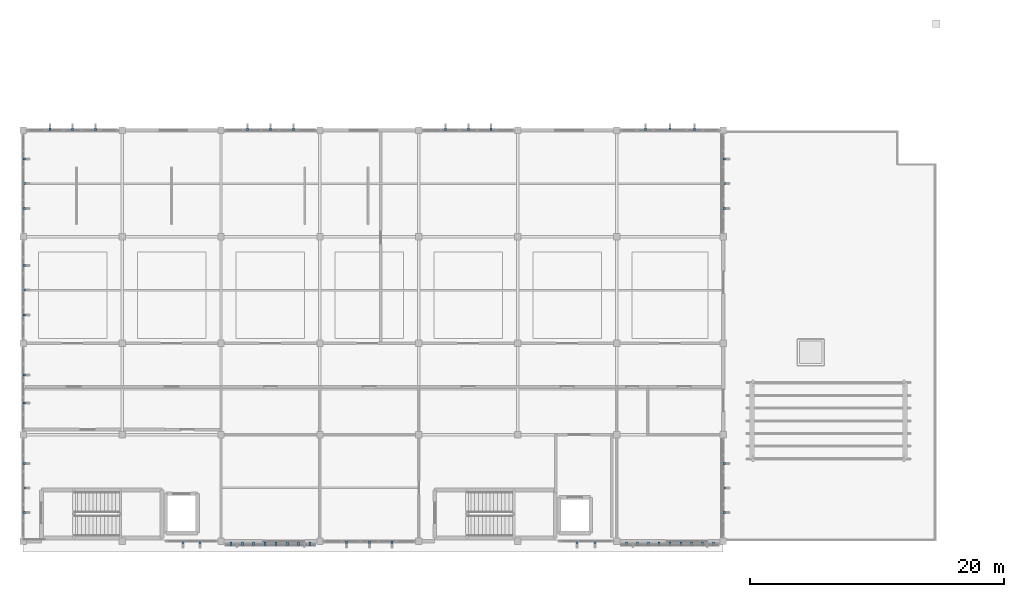
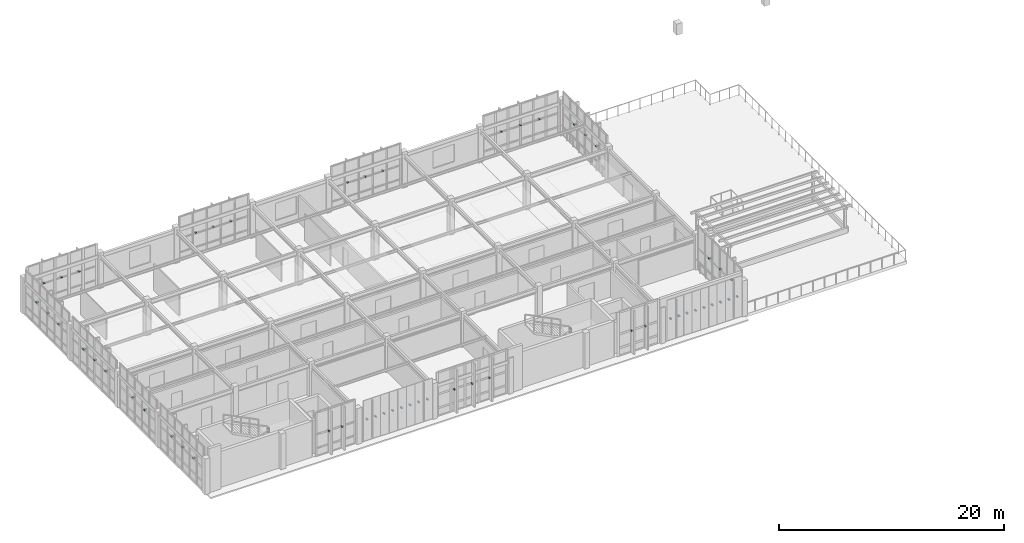
# One storey, part 15 of 20: 53 discrete accessories.
"""IFC4 building model written with IfcOpenShell, lengths in metres."""

import ifcopenshell
import ifcopenshell.guid

model = None  # the IFC model being written
_history = None  # IfcOwnerHistory: only IFC2X3 demands one
_inside = {}  # id of a spatial element -> (the spatial element, [elements in it])
_under = {}  # id of a project, library or spatial element -> (it, [spatial elements below it])
_declared = {}  # id of a project -> (the project, [libraries it declares])
_typed = {}  # id of a type object -> (the type object, [elements of that type])
_made_of = {}  # id of a material, layer set ... -> (it, [elements and type objects made of it])


def new_model(schema):
    """Start an empty IFC model of exactly this schema.

    Asked for "IFC4X3", IfcOpenShell would pick the latest addendum, in which some entities
    have other attributes; the version numbers below select the first issue.
    IFC2X3 requires an IfcOwnerHistory on every rooted entity: one is made here for all.
    """
    global model, _history
    if schema == "IFC4X3":
        model = ifcopenshell.file(schema_version=(4, 3, 0, 0))
    else:
        model = ifcopenshell.file(schema=schema)
    _inside.clear()
    _under.clear()
    _declared.clear()
    _typed.clear()
    _made_of.clear()
    _history = None
    if model.schema == "IFC2X3":
        org = make("IfcOrganization", Name="unknown")
        user = make(
            "IfcPersonAndOrganization",
            ThePerson=make("IfcPerson", FamilyName="unknown"),
            TheOrganization=org,
        )
        app = make(
            "IfcApplication",
            ApplicationDeveloper=org,
            Version="unknown",
            ApplicationFullName="unknown",
            ApplicationIdentifier="unknown",
        )
        _history = make(
            "IfcOwnerHistory",
            OwningUser=user,
            OwningApplication=app,
            ChangeAction="ADDED",
            CreationDate=0,
        )
    return model


def make(cls, **values):
    """One entity of the class cls with the attributes given. An attribute that is None is left unset."""
    return model.create_entity(
        cls, **{name: value for name, value in values.items() if value is not None}
    )


def rooted(cls, **values):
    """An entity with a GlobalId (a new one), such as an element, a storey or a relation."""
    return make(cls, GlobalId=ifcopenshell.guid.new(), OwnerHistory=_history, **values)


def si_unit(unit_type, name, prefix=None):
    """IfcSIUnit, for example si_unit("LENGTHUNIT", "METRE", prefix="MILLI")."""
    return make("IfcSIUnit", UnitType=unit_type, Prefix=prefix, Name=name)


def assignment(units):
    """IfcUnitAssignment: the units of a project."""
    return None if units is None else make("IfcUnitAssignment", Units=units)


def point(xyz):
    """IfcCartesianPoint."""
    return None if xyz is None else make("IfcCartesianPoint", Coordinates=xyz)


def direction(xyz):
    """IfcDirection."""
    return None if xyz is None else make("IfcDirection", DirectionRatios=xyz)


def frame(location, z_axis=None, x_axis=None):
    """IfcAxis2Placement3D, a coordinate frame: its origin and axes. An axis left out is left unset."""
    return make(
        "IfcAxis2Placement3D",
        Location=point(location),
        Axis=direction(z_axis),
        RefDirection=direction(x_axis),
    )


def frame_2d(location, x_axis=None):
    """IfcAxis2Placement2D, a coordinate frame in the plane: its origin and x axis."""
    return make(
        "IfcAxis2Placement2D", Location=point(location), RefDirection=direction(x_axis)
    )


def origin():
    """The frame at (0, 0, 0) with its axes left unset."""
    return frame((0.0, 0.0, 0.0))


def origin_2d():
    """The frame at (0, 0) in the plane with its x axis left unset."""
    return frame_2d((0.0, 0.0))


def place(relative_to, where):
    """IfcLocalPlacement: puts the frame where relative to a parent placement (None: the world)."""
    return make(
        "IfcLocalPlacement", PlacementRelTo=relative_to, RelativePlacement=where
    )


def context(
    kind, dimensions, precision=None, world=None, true_north=None, identifier=None
):
    """IfcGeometricRepresentationContext, for example the 3D "Model" context."""
    return make(
        "IfcGeometricRepresentationContext",
        ContextIdentifier=identifier,
        ContextType=kind,
        CoordinateSpaceDimension=dimensions,
        Precision=precision,
        WorldCoordinateSystem=world,
        TrueNorth=true_north,
    )


def subcontext(parent, identifier, kind, view, scale=None):
    """IfcGeometricRepresentationSubContext, for example "Body" below "Model"."""
    return make(
        "IfcGeometricRepresentationSubContext",
        ContextIdentifier=identifier,
        ContextType=kind,
        ParentContext=parent,
        TargetScale=scale,
        TargetView=view,
    )


def project(units=None, contexts=None):
    """IfcProject with its units and contexts."""
    return rooted(
        "IfcProject",
        Name="project",
        RepresentationContexts=contexts,
        UnitsInContext=assignment(units),
    )


def spatial(cls, under=None, at=None, **own):
    """A site, building, storey or space (cls), placed at a placement, below another one or the project."""
    s = rooted(cls, ObjectPlacement=at, **own)
    if under is not None:
        _under.setdefault(under.id(), (under, []))[1].append(s)
    return s


def profile(cls, at=None, kind="AREA", **sizes):
    """A parametric profile (cls). Its sizes go by their IFC names, for example OverallWidth=200.0."""
    return make(cls, ProfileType=kind, Position=at, **sizes)


def rectangle(**sizes):
    """IfcRectangleProfileDef."""
    return profile("IfcRectangleProfileDef", **sizes)


def extrude(swept, where, along, depth):
    """IfcExtrudedAreaSolid: the profile swept, set in the frame where, extruded along a direction by depth."""
    return make(
        "IfcExtrudedAreaSolid",
        SweptArea=swept,
        Position=where,
        ExtrudedDirection=direction(along),
        Depth=depth,
    )


def shape(context_of_items, identifier, shape_type, items):
    """IfcShapeRepresentation: the items that make up one representation, for example the "Body"."""
    return make(
        "IfcShapeRepresentation",
        ContextOfItems=context_of_items,
        RepresentationIdentifier=identifier,
        RepresentationType=shape_type,
        Items=items,
    )


def material(Name=None, Category=None):
    """IfcMaterial."""
    return make("IfcMaterial", Name=Name, Category=Category)


def made_of(thing, what):
    """Note that an element or type object is made of a material, layer set ...; save() writes the relation."""
    if what is not None:
        _made_of.setdefault(what.id(), (what, []))[1].append(thing)
    return thing


def type_object(cls, material=None, **own):
    """A type object (cls), such as IfcWallType, which elements share."""
    return made_of(rooted(cls, **own), material)


def element(
    cls,
    number,
    at=None,
    inside=None,
    cuts=None,
    type_object=None,
    material=None,
    context=None,
    identifier="Body",
    shape_type=None,
    held_by="IfcProductDefinitionShape",
    body=None,
    shapes=None,
    **own,
):
    """One element of the class cls, such as IfcWall. Its Tag is "e" and its number.

    at: its placement. inside: the storey or other place that contains it. cuts: it is an
    opening in that element (IfcRelVoidsElement). A single representation is given by context,
    identifier, shape_type and body (its items); several are given by shapes. held_by: the class
    of the entity that holds the representations. save() writes the other relations.
    """
    e = rooted(cls, Tag="e%d" % number, ObjectPlacement=at, **own)
    if body is not None:
        shapes = [shape(context, identifier, shape_type, body)]
    if shapes is not None:
        e.Representation = make(held_by, Representations=shapes)
    if inside is not None:
        _inside.setdefault(inside.id(), (inside, []))[1].append(e)
    if cuts is not None:
        rooted(
            "IfcRelVoidsElement", RelatingBuildingElement=cuts, RelatedOpeningElement=e
        )
    if type_object is not None:
        _typed.setdefault(type_object.id(), (type_object, []))[1].append(e)
    return made_of(e, material)


def aggregate(whole, parts):
    """IfcRelAggregates: a whole, such as a stair, and the parts it consists of."""
    return rooted("IfcRelAggregates", RelatingObject=whole, RelatedObjects=parts)


def save(model, path):
    """Write the relations noted so far, then the file.

    IfcRelAggregates (storeys below a building ...), IfcRelContainedInSpatialStructure (elements
    in a storey), IfcRelDefinesByType, IfcRelAssociatesMaterial and IfcRelDeclares: one each for
    every whole, place, type object, material and project.
    """
    for whole, parts in _under.values():
        aggregate(whole, parts)
    for where, things in _inside.values():
        rooted(
            "IfcRelContainedInSpatialStructure",
            RelatedElements=things,
            RelatingStructure=where,
        )
    for kind, things in _typed.values():
        rooted("IfcRelDefinesByType", RelatedObjects=things, RelatingType=kind)
    for what, things in _made_of.values():
        rooted("IfcRelAssociatesMaterial", RelatedObjects=things, RelatingMaterial=what)
    for by, libraries in _declared.values():
        rooted("IfcRelDeclares", RelatingContext=by, RelatedDefinitions=libraries)
    model.write(path)


model = new_model("IFC4")

# Units and contexts
model_context = context("Model", 3, precision=1e-05, world=origin(), true_north=direction((0.0, 1.0)))
body_context = subcontext(model_context, "Body", "Model", "MODEL_VIEW")
ifc_project = project(units=[si_unit("LENGTHUNIT", "METRE"), si_unit("AREAUNIT", "SQUARE_METRE"), si_unit("VOLUMEUNIT", "CUBIC_METRE"), si_unit("PLANEANGLEUNIT", "RADIAN"), si_unit("MASSUNIT", "GRAM", prefix="KILO")], contexts=[model_context])

# Site, building, storey
site_placement = place(None, origin())
site = spatial("IfcSite", under=ifc_project, at=site_placement, CompositionType="ELEMENT")
building_placement = place(site_placement, origin())
building = spatial("IfcBuilding", under=site, at=building_placement, Name="Tizgana Railside Sports Hall", CompositionType="ELEMENT")
storey_placement = place(building_placement, frame((0.0, 0.0, 19.800048828125)))
storey = spatial("IfcBuildingStorey", under=building, at=storey_placement, Name="L04", CompositionType="ELEMENT", Elevation=19.800048828125)

# Discrete accessories
ifc_material = material(Name="Steel S355J2", Category="steel")
discrete_accessory_type = type_object("IfcDiscreteAccessoryType", Name="Stainless Facade Support Bracket", PredefinedType="BRACKET", material=ifc_material)
for number, where, z_axis, x_axis, name in (
    (1, (21.756591796875, -0.080078125, 2.33984375), (0.0, 0.0, 1.0), (-1.0, 0.0, 0.0), "L04 Fin Bracket"),
    (2, (20.418212890625, -0.080078125, 2.33984375), (0.0, 0.0, 1.0), (-1.0, 0.0, 0.0), "L04 Fin Bracket"),
):
    element("IfcDiscreteAccessory", number, at=place(storey_placement, frame(where, z_axis=z_axis, x_axis=x_axis)), inside=storey, type_object=discrete_accessory_type, Name=name, PredefinedType="BRACKET", context=body_context, shape_type="SweptSolid", body=[
        extrude(rectangle(XDim=0.159912109375, YDim=0.219970703125, at=origin_2d()), origin(), (0.0, 0.0, 1.0), 0.1201171875),
    ])
for number, where, z_axis, x_axis, name in (
    (3, (30.40625, -0.199951171875, 2.330078125), (0.0, 0.0, 1.0), (-1.0, 0.0, 0.0), "L04 Screen Bracket"),
    (4, (29.518798828125, -0.199951171875, 2.330078125), (0.0, 0.0, 1.0), (-1.0, 0.0, 0.0), "L04 Screen Bracket"),
    (5, (28.631103515625, -0.199951171875, 2.330078125), (0.0, 0.0, 1.0), (-1.0, 0.0, 0.0), "L04 Screen Bracket"),
    (6, (27.74365234375, -0.199951171875, 2.330078125), (0.0, 0.0, 1.0), (-1.0, 0.0, 0.0), "L04 Screen Bracket"),
    (7, (26.856201171875, -0.199951171875, 2.330078125), (0.0, 0.0, 1.0), (-1.0, 0.0, 0.0), "L04 Screen Bracket"),
    (8, (25.96875, -0.199951171875, 2.330078125), (0.0, 0.0, 1.0), (-1.0, 0.0, 0.0), "L04 Screen Bracket"),
    (9, (25.081298828125, -0.199951171875, 2.330078125), (0.0, 0.0, 1.0), (-1.0, 0.0, 0.0), "L04 Screen Bracket"),
    (10, (24.19384765625, -0.199951171875, 2.330078125), (0.0, 0.0, 1.0), (-1.0, 0.0, 0.0), "L04 Screen Bracket"),
):
    element("IfcDiscreteAccessory", number, at=place(storey_placement, frame(where, z_axis=z_axis, x_axis=x_axis)), inside=storey, type_object=discrete_accessory_type, Name=name, PredefinedType="BRACKET", context=body_context, shape_type="SweptSolid", body=[
        extrude(rectangle(XDim=0.159912109375, YDim=0.25, at=origin_2d()), origin(), (0.0, 0.0, 1.0), 0.139892578125),
    ])
for number, where, z_axis, x_axis, name in (
    (11, (36.8974609375, -0.080078125, 2.33984375), (0.0, 0.0, 1.0), (-1.0, 0.0, 0.0), "L04 Fin Bracket"),
    (12, (35.10009765625, -0.080078125, 2.33984375), (0.0, 0.0, 1.0), (-1.0, 0.0, 0.0), "L04 Fin Bracket"),
    (13, (33.302490234375, -0.080078125, 2.33984375), (0.0, 0.0, 1.0), (-1.0, 0.0, 0.0), "L04 Fin Bracket"),
    (14, (52.889892578125, -0.080078125, 2.33984375), (0.0, 0.0, 1.0), (-1.0, 0.0, 0.0), "L04 Fin Bracket"),
    (15, (51.485107421875, -0.080078125, 2.33984375), (0.0, 0.0, 1.0), (-1.0, 0.0, 0.0), "L04 Fin Bracket"),
):
    element("IfcDiscreteAccessory", number, at=place(storey_placement, frame(where, z_axis=z_axis, x_axis=x_axis)), inside=storey, type_object=discrete_accessory_type, Name=name, PredefinedType="BRACKET", context=body_context, shape_type="SweptSolid", body=[
        extrude(rectangle(XDim=0.159912109375, YDim=0.219970703125, at=origin_2d()), origin(), (0.0, 0.0, 1.0), 0.1201171875),
    ])
for number, where, z_axis, x_axis, name in (
    (16, (62.22216796875, -0.199951171875, 2.330078125), (0.0, 0.0, 1.0), (-1.0, 0.0, 0.0), "L04 Screen Bracket"),
    (17, (61.36669921875, -0.199951171875, 2.330078125), (0.0, 0.0, 1.0), (-1.0, 0.0, 0.0), "L04 Screen Bracket"),
    (18, (60.510986328125, -0.199951171875, 2.330078125), (0.0, 0.0, 1.0), (-1.0, 0.0, 0.0), "L04 Screen Bracket"),
    (19, (59.655517578125, -0.199951171875, 2.330078125), (0.0, 0.0, 1.0), (-1.0, 0.0, 0.0), "L04 Screen Bracket"),
    (20, (58.800048828125, -0.199951171875, 2.330078125), (0.0, 0.0, 1.0), (-1.0, 0.0, 0.0), "L04 Screen Bracket"),
    (21, (57.9443359375, -0.199951171875, 2.330078125), (0.0, 0.0, 1.0), (-1.0, 0.0, 0.0), "L04 Screen Bracket"),
    (22, (57.0888671875, -0.199951171875, 2.330078125), (0.0, 0.0, 1.0), (-1.0, 0.0, 0.0), "L04 Screen Bracket"),
    (23, (56.2333984375, -0.199951171875, 2.330078125), (0.0, 0.0, 1.0), (-1.0, 0.0, 0.0), "L04 Screen Bracket"),
    (24, (55.377685546875, -0.199951171875, 2.330078125), (0.0, 0.0, 1.0), (-1.0, 0.0, 0.0), "L04 Screen Bracket"),
):
    element("IfcDiscreteAccessory", number, at=place(storey_placement, frame(where, z_axis=z_axis, x_axis=x_axis)), inside=storey, type_object=discrete_accessory_type, Name=name, PredefinedType="BRACKET", context=body_context, shape_type="SweptSolid", body=[
        extrude(rectangle(XDim=0.159912109375, YDim=0.25, at=origin_2d()), origin(), (0.0, 0.0, 1.0), 0.139892578125),
    ])
for number, where, z_axis, x_axis, name in (
    (25, (9.902587890625, 32.47998046875, 2.33984375), (0.0, 0.0, 1.0), (1.0, 0.0, 0.0), "L04 Fin Bracket"),
    (26, (11.699951171875, 32.47998046875, 2.33984375), (0.0, 0.0, 1.0), (1.0, 0.0, 0.0), "L04 Fin Bracket"),
    (27, (13.49755859375, 32.47998046875, 2.33984375), (0.0, 0.0, 1.0), (1.0, 0.0, 0.0), "L04 Fin Bracket"),
    (28, (25.50244140625, 32.47998046875, 2.33984375), (0.0, 0.0, 1.0), (1.0, 0.0, 0.0), "L04 Fin Bracket"),
    (29, (27.300048828125, 32.47998046875, 2.33984375), (0.0, 0.0, 1.0), (1.0, 0.0, 0.0), "L04 Fin Bracket"),
    (30, (29.097412109375, 32.47998046875, 2.33984375), (0.0, 0.0, 1.0), (1.0, 0.0, 0.0), "L04 Fin Bracket"),
    (31, (41.1025390625, 32.47998046875, 2.33984375), (0.0, 0.0, 1.0), (1.0, 0.0, 0.0), "L04 Fin Bracket"),
    (32, (42.89990234375, 32.47998046875, 2.33984375), (0.0, 0.0, 1.0), (1.0, 0.0, 0.0), "L04 Fin Bracket"),
    (33, (44.697509765625, 32.47998046875, 2.33984375), (0.0, 0.0, 1.0), (1.0, 0.0, 0.0), "L04 Fin Bracket"),
    (34, (56.8525390625, 32.47998046875, 2.33984375), (0.0, 0.0, 1.0), (1.0, 0.0, 0.0), "L04 Fin Bracket"),
    (35, (58.800048828125, 32.47998046875, 2.33984375), (0.0, 0.0, 1.0), (1.0, 0.0, 0.0), "L04 Fin Bracket"),
    (36, (60.74755859375, 32.47998046875, 2.33984375), (0.0, 0.0, 1.0), (1.0, 0.0, 0.0), "L04 Fin Bracket"),
    (37, (7.8798828125, 6.1474609375, 2.33984375), (0.0, 0.0, 1.0), (0.0, -1.0, 0.0), "L04 Fin Bracket"),
    (38, (7.8798828125, 4.199951171875, 2.33984375), (0.0, 0.0, 1.0), (0.0, -1.0, 0.0), "L04 Fin Bracket"),
    (39, (7.8798828125, 2.25244140625, 2.33984375), (0.0, 0.0, 1.0), (0.0, -1.0, 0.0), "L04 Fin Bracket"),
    (40, (7.8798828125, 13.098388671875, 2.33984375), (0.0, 0.0, 1.0), (0.0, -1.0, 0.0), "L04 Fin Bracket"),
    (41, (7.8798828125, 10.901611328125, 2.33984375), (0.0, 0.0, 1.0), (0.0, -1.0, 0.0), "L04 Fin Bracket"),
    (42, (7.8798828125, 21.74755859375, 2.33984375), (0.0, 0.0, 1.0), (0.0, -1.0, 0.0), "L04 Fin Bracket"),
    (43, (7.8798828125, 19.800048828125, 2.33984375), (0.0, 0.0, 1.0), (0.0, -1.0, 0.0), "L04 Fin Bracket"),
    (44, (7.8798828125, 17.8525390625, 2.33984375), (0.0, 0.0, 1.0), (0.0, -1.0, 0.0), "L04 Fin Bracket"),
    (45, (7.8798828125, 30.1474609375, 2.33984375), (0.0, 0.0, 1.0), (0.0, -1.0, 0.0), "L04 Fin Bracket"),
    (46, (7.8798828125, 28.199951171875, 2.33984375), (0.0, 0.0, 1.0), (0.0, -1.0, 0.0), "L04 Fin Bracket"),
    (47, (7.8798828125, 26.25244140625, 2.33984375), (0.0, 0.0, 1.0), (0.0, -1.0, 0.0), "L04 Fin Bracket"),
    (48, (63.080078125, 6.1474609375, 2.33984375), (0.0, 0.0, 1.0), (0.0, -1.0, 0.0), "L04 Fin Bracket"),
    (49, (63.080078125, 4.199951171875, 2.33984375), (0.0, 0.0, 1.0), (0.0, -1.0, 0.0), "L04 Fin Bracket"),
    (50, (63.080078125, 2.25244140625, 2.33984375), (0.0, 0.0, 1.0), (0.0, -1.0, 0.0), "L04 Fin Bracket"),
    (51, (63.080078125, 30.1474609375, 2.33984375), (0.0, 0.0, 1.0), (0.0, -1.0, 0.0), "L04 Fin Bracket"),
    (52, (63.080078125, 28.199951171875, 2.33984375), (0.0, 0.0, 1.0), (0.0, -1.0, 0.0), "L04 Fin Bracket"),
    (53, (63.080078125, 26.25244140625, 2.33984375), (0.0, 0.0, 1.0), (0.0, -1.0, 0.0), "L04 Fin Bracket"),
):
    element("IfcDiscreteAccessory", number, at=place(storey_placement, frame(where, z_axis=z_axis, x_axis=x_axis)), inside=storey, type_object=discrete_accessory_type, Name=name, PredefinedType="BRACKET", context=body_context, shape_type="SweptSolid", body=[
        extrude(rectangle(XDim=0.159912109375, YDim=0.219970703125, at=origin_2d()), origin(), (0.0, 0.0, 1.0), 0.1201171875),
    ])

save(model, "model.ifc")
